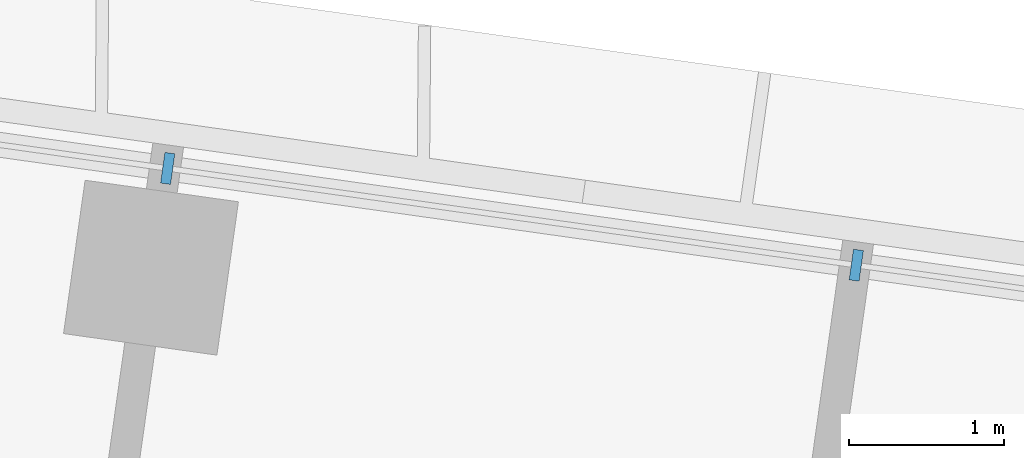
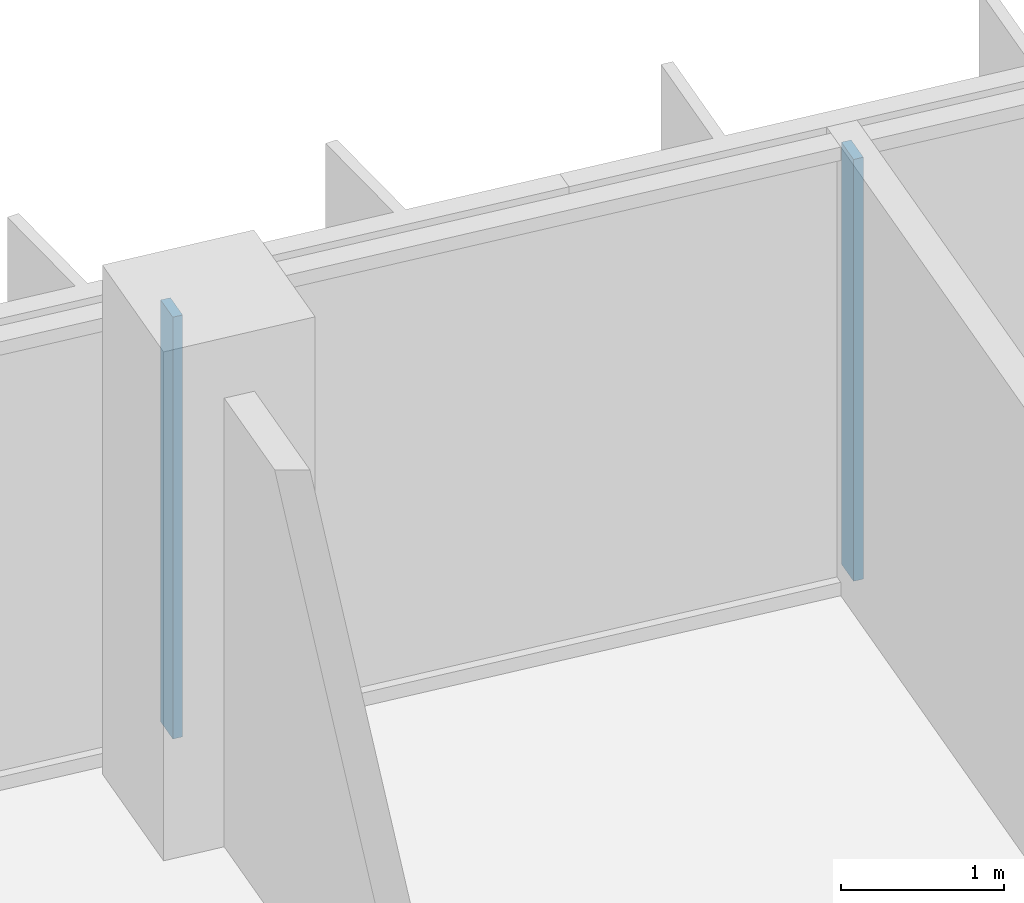
# One storey, part 3 of 25: 2 members, 1 element without a shape of its own.
"""IFC4 building model written with IfcOpenShell, lengths in metres."""

from ifc_helpers import new_model, si_unit, direction, frame, origin, origin_2d, place, context, subcontext, project, spatial, rectangle, extrude, material, material_profile, profile_set, type_object, element, aggregate, save


model = new_model("IFC4")

# Units and contexts
model_context = context("Model", 3, precision=1e-05, world=origin(), true_north=direction((0.0, 1.0)))
body_context = subcontext(model_context, "Body", "Model", "MODEL_VIEW")
ifc_project = project(units=[si_unit("LENGTHUNIT", "METRE"), si_unit("AREAUNIT", "SQUARE_METRE"), si_unit("VOLUMEUNIT", "CUBIC_METRE"), si_unit("PLANEANGLEUNIT", "RADIAN"), si_unit("MASSUNIT", "GRAM", prefix="KILO")], contexts=[model_context])

# Site, building, storey
site_placement = place(None, origin())
site = spatial("IfcSite", under=ifc_project, at=site_placement, CompositionType="ELEMENT")
building_placement = place(site_placement, origin())
building = spatial("IfcBuilding", under=site, at=building_placement, Name="Mirante Cascada Hotel Towers", CompositionType="ELEMENT")
storey_placement = place(building_placement, frame((0.0, 0.0, 73.7)))
storey = spatial("IfcBuildingStorey", under=building, at=storey_placement, Name="L15", CompositionType="ELEMENT", Elevation=73.7)

# Curtain wall, members
ifc_material_1 = material(Name="Aluminium mullion and transom frame with clear laminated glass", Category="aluminium")
curtain_wall_type = type_object("IfcCurtainWallType", Name="Ribbon curtain wall ECW1", PredefinedType="NOTDEFINED", material=ifc_material_1)
curtain_wall_placement = place(storey_placement, origin())
curtain_wall = element("IfcCurtainWall", 1, at=curtain_wall_placement, inside=storey, type_object=curtain_wall_type, Name="Front ribbon wall T1 L15", PredefinedType="NOTDEFINED")
ifc_material_2 = material(Name="Anodised aluminium extrusion", Category="aluminium")
ifc_material_profile = material_profile(ifc_material_2, rectangle(XDim=0.2, YDim=0.065, at=origin_2d()), Name="ECW1 MULLION 65x200")
ifc_profile_set = profile_set([ifc_material_profile], Name="Anodised aluminium extrusion")
member_type = type_object("IfcMemberType", Name="ECW1 mullion 65x200", PredefinedType="MULLION", material=ifc_profile_set)
member_1_placement = place(storey_placement, frame((-71.9211, 22.9269, 0.1), z_axis=(0.0, 0.0, 1.0), x_axis=(0.1391731, 0.9902681, 0.0)))
member_1 = element("IfcMember", 2, at=member_1_placement, type_object=member_type, Name="ECW1 mullion 6", PredefinedType="MULLION", context=body_context, shape_type="SweptSolid", body=[
    extrude(rectangle(XDim=0.2, YDim=0.065, at=origin_2d()), origin(), (0.0, 0.0, 1.0), 3.15),
])
member_2_placement = place(storey_placement, frame((-67.4737, 22.3018, 0.1), z_axis=(0.0, 0.0, 1.0), x_axis=(0.1391731, 0.9902681, 0.0)))
member_2 = element("IfcMember", 3, at=member_2_placement, type_object=member_type, Name="ECW1 mullion 7", PredefinedType="MULLION", context=body_context, shape_type="SweptSolid", body=[
    extrude(rectangle(XDim=0.2, YDim=0.065, at=origin_2d()), origin(), (0.0, 0.0, 1.0), 3.15),
])
aggregate(curtain_wall, [member_1, member_2])

save(model, "model.ifc")
